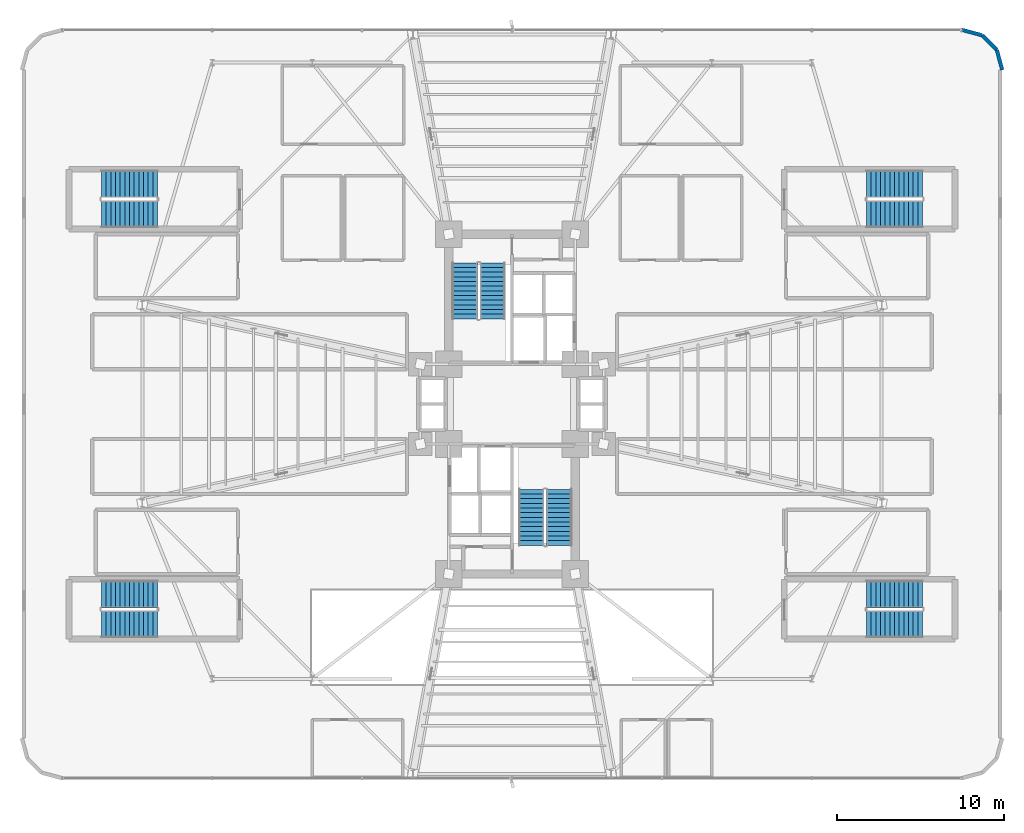
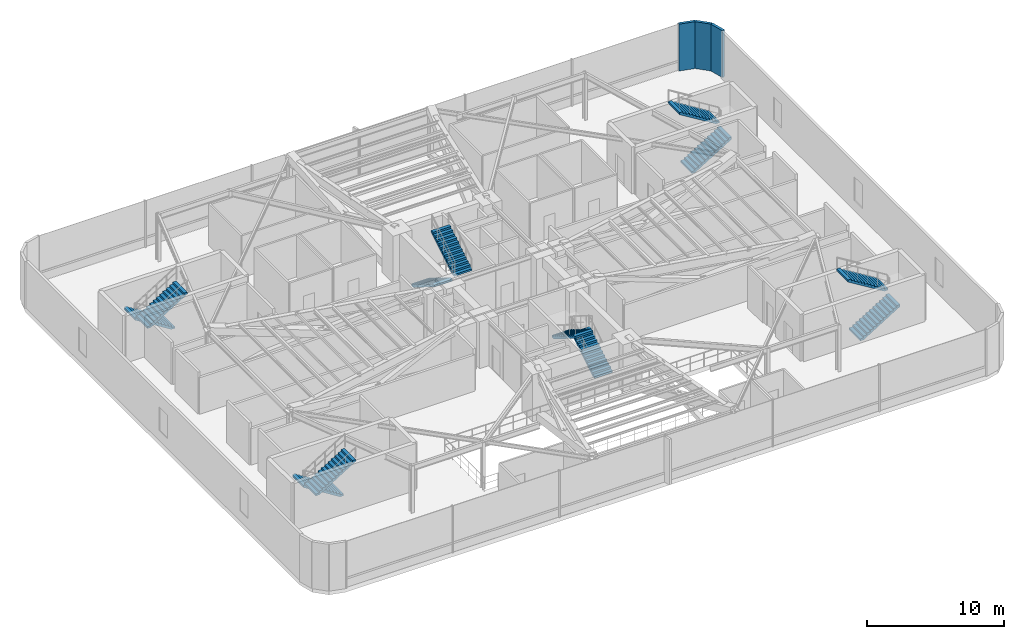
# One storey, part 27 of 32: 12 stair flights, 3 walls, 6 elements without a shape of their own.
"""IFC4 building model written with IfcOpenShell, lengths in metres."""

from ifc_helpers import new_model, si_unit, direction, frame, frame_2d, origin, place, context, subcontext, project, spatial, polyline, rectangle, outline, extrude, material, layer, layer_set, type_object, element, aggregate, save


model = new_model("IFC4")

# Units and contexts
model_context = context("Model", 3, precision=1e-05, world=origin(), true_north=direction((0.0, 1.0)))
body_context = subcontext(model_context, "Body", "Model", "MODEL_VIEW")
ifc_project = project(units=[si_unit("LENGTHUNIT", "METRE"), si_unit("AREAUNIT", "SQUARE_METRE"), si_unit("VOLUMEUNIT", "CUBIC_METRE"), si_unit("PLANEANGLEUNIT", "RADIAN"), si_unit("MASSUNIT", "GRAM", prefix="KILO")], contexts=[model_context])

# Site, building, storey
site_placement = place(None, origin())
site = spatial("IfcSite", under=ifc_project, at=site_placement, CompositionType="ELEMENT")
building_placement = place(site_placement, origin())
building = spatial("IfcBuilding", under=site, at=building_placement, Name="Sahyath Konkavel Grand Hotel", CompositionType="ELEMENT")
storey_placement = place(building_placement, frame((0.0, 0.0, 14.10009765625)))
storey = spatial("IfcBuildingStorey", under=building, at=storey_placement, Name="L03", CompositionType="ELEMENT", Elevation=14.10009765625)

# Walls
ifc_material_1 = material(Name="Warm Buff Sandstone Insulated Concrete C40/50", Category="masonry")
ifc_layer = layer(ifc_material_1, 0.219970703125)
ifc_layer_set = layer_set([ifc_layer], Name="Warm Buff Sandstone Insulated Concrete C40/50")
wall_type = type_object("IfcWallType", Name="WLL-BALC-THRESH", PredefinedType="STANDARD", material=ifc_layer_set)
wall_placement = place(storey_placement, frame((29.43603515625, 20.06494140625, 0.0), z_axis=(0.0, 0.0, 1.0), x_axis=(-0.258824494443, 0.965924366126, 0.0)))
element("IfcWall", 1, at=wall_placement, inside=storey, type_object=wall_type, Name="L03 Rounded Podium Corner Sandstone Pier 4", PredefinedType="STANDARD", context=body_context, shape_type="SweptSolid", body=[
    extrude(rectangle(XDim=1.2421875, YDim=0.219970703125, at=frame_2d((0.62109375, 0.0))), origin(), (0.0, 0.0, 1.0), 4.179931640625),
])
for number, where, z_axis, x_axis, name in (
    (2, (29.114501953125, 21.264892578125, 0.0), (0.0, 0.0, 1.0), (-0.707008524149, 0.707205024573, 0.0), "L03 Rounded Podium Corner Sandstone Pier 5"),
    (3, (28.236083984375, 22.1435546875, 0.0), (0.0, 0.0, 1.0), (-0.965937527666, 0.25877537102, 0.0), "L03 Rounded Podium Corner Sandstone Pier 6"),
):
    element("IfcWall", number, at=place(storey_placement, frame(where, z_axis=z_axis, x_axis=x_axis)), inside=storey, type_object=wall_type, Name=name, PredefinedType="STANDARD", context=body_context, shape_type="SweptSolid", body=[
        extrude(rectangle(XDim=1.242431640625, YDim=0.219970703125, at=frame_2d((0.62109375, 0.0))), origin(), (0.0, 0.0, 1.0), 4.179931640625),
    ])

# Stair, stair flights
ifc_material_2 = material(Name="Concrete C40/50", Category="concrete")
stair_type = type_object("IfcStairType", Name="STR-ST16-450", PredefinedType="HALF_TURN_STAIR", material=ifc_material_2)
stair_1_placement = place(storey_placement, origin())
stair_1 = element("IfcStair", 4, at=stair_1_placement, inside=storey, type_object=stair_type, Name="L03 North Core Smokeproof Exit Stair ST-1", PredefinedType="HALF_TURN_STAIR")
stair_flight_type = type_object("IfcStairFlightType", Name="STF-ST16-450", PredefinedType="STRAIGHT", material=ifc_material_2)
stair_flight_1_placement = place(storey_placement, frame((-2.840087890625, 8.47998046875, 0.0), z_axis=(0.0, 0.0, 1.0), x_axis=(0.0, -1.0, 0.0)))
stair_flight_1 = element("IfcStairFlight", 5, at=stair_flight_1_placement, type_object=stair_flight_type, Name="ST-1 flight 1", NumberOfRisers=13, NumberOfTreads=12, PredefinedType="STRAIGHT", RiserHeight=0.173076923, TreadLength=0.28, context=body_context, shape_type="SweptSolid", body=[
    extrude(outline(polyline([(0.0, 0.0), (0.0, 0.173095703125), (0.280029296875, 0.173095703125), (0.280029296875, 0.34619140625), (0.56005859375, 0.34619140625), (0.56005859375, 0.519287109375), (0.840087890625, 0.519287109375), (0.840087890625, 0.6923828125), (1.1201171875, 0.6923828125), (1.1201171875, 0.865478515625), (1.39990234375, 0.865478515625), (1.39990234375, 1.03857421875), (1.679931640625, 1.03857421875), (1.679931640625, 1.21142578125), (1.9599609375, 1.21142578125), (1.9599609375, 1.384521484375), (2.239990234375, 1.384521484375), (2.239990234375, 1.5576171875), (2.52001953125, 1.5576171875), (2.52001953125, 1.730712890625), (2.800048828125, 1.730712890625), (2.800048828125, 1.90380859375), (3.080078125, 1.90380859375), (3.080078125, 2.076904296875), (3.360107421875, 2.076904296875), (3.360107421875, 2.25), (3.360107421875, 1.900634765625), (0.28515625, 0.0), (0.0, 0.0)])), frame((0.0, 0.760009765625, 0.0), z_axis=(0.0, -1.0, 0.0), x_axis=(1.0, 0.0, 0.0)), (0.0, 0.0, 1.0), 1.52001953125),
])
stair_flight_2_placement = place(storey_placement, frame((-1.159912109375, 5.1201171875, 2.25), z_axis=(0.0, 0.0, 1.0), x_axis=(0.0, 1.0, 0.0)))
stair_flight_2 = element("IfcStairFlight", 6, at=stair_flight_2_placement, type_object=stair_flight_type, Name="ST-1 flight 2", NumberOfRisers=13, NumberOfTreads=12, PredefinedType="STRAIGHT", RiserHeight=0.173076923, TreadLength=0.28, context=body_context, shape_type="SweptSolid", body=[
    extrude(outline(polyline([(0.0, 0.0), (0.0, 0.173095703125), (0.280029296875, 0.173095703125), (0.280029296875, 0.34619140625), (0.56005859375, 0.34619140625), (0.56005859375, 0.519287109375), (0.840087890625, 0.519287109375), (0.840087890625, 0.6923828125), (1.1201171875, 0.6923828125), (1.1201171875, 0.865478515625), (1.39990234375, 0.865478515625), (1.39990234375, 1.03857421875), (1.679931640625, 1.03857421875), (1.679931640625, 1.21142578125), (1.9599609375, 1.21142578125), (1.9599609375, 1.384521484375), (2.239990234375, 1.384521484375), (2.239990234375, 1.5576171875), (2.52001953125, 1.5576171875), (2.52001953125, 1.730712890625), (2.800048828125, 1.730712890625), (2.800048828125, 1.90380859375), (3.080078125, 1.90380859375), (3.080078125, 2.076904296875), (3.360107421875, 2.076904296875), (3.360107421875, 2.25), (3.360107421875, 1.900634765625), (0.28515625, 0.0), (0.0, 0.0)])), frame((0.0, 0.760009765625, 0.0), z_axis=(0.0, -1.0, 0.0), x_axis=(1.0, 0.0, 0.0)), (0.0, 0.0, 1.0), 1.52001953125),
])
aggregate(stair_1, [stair_flight_1, stair_flight_2])

stair_2_placement = place(storey_placement, origin())
stair_2 = element("IfcStair", 7, at=stair_2_placement, inside=storey, type_object=stair_type, Name="L03 South Core Smokeproof Exit Stair ST-2", PredefinedType="HALF_TURN_STAIR")
stair_flight_3_placement = place(storey_placement, frame((2.840087890625, -8.47998046875, 0.0), z_axis=(0.0, 0.0, 1.0), x_axis=(0.0, 1.0, 0.0)))
stair_flight_3 = element("IfcStairFlight", 8, at=stair_flight_3_placement, type_object=stair_flight_type, Name="ST-2 flight 1", NumberOfRisers=13, NumberOfTreads=12, PredefinedType="STRAIGHT", RiserHeight=0.173076923, TreadLength=0.28, context=body_context, shape_type="SweptSolid", body=[
    extrude(outline(polyline([(0.0, 0.0), (0.0, 0.173095703125), (0.280029296875, 0.173095703125), (0.280029296875, 0.34619140625), (0.56005859375, 0.34619140625), (0.56005859375, 0.519287109375), (0.840087890625, 0.519287109375), (0.840087890625, 0.6923828125), (1.1201171875, 0.6923828125), (1.1201171875, 0.865478515625), (1.39990234375, 0.865478515625), (1.39990234375, 1.03857421875), (1.679931640625, 1.03857421875), (1.679931640625, 1.21142578125), (1.9599609375, 1.21142578125), (1.9599609375, 1.384521484375), (2.239990234375, 1.384521484375), (2.239990234375, 1.5576171875), (2.52001953125, 1.5576171875), (2.52001953125, 1.730712890625), (2.800048828125, 1.730712890625), (2.800048828125, 1.90380859375), (3.080078125, 1.90380859375), (3.080078125, 2.076904296875), (3.360107421875, 2.076904296875), (3.360107421875, 2.25), (3.360107421875, 1.900634765625), (0.28515625, 0.0), (0.0, 0.0)])), frame((0.0, 0.760009765625, 0.0), z_axis=(0.0, -1.0, 0.0), x_axis=(1.0, 0.0, 0.0)), (0.0, 0.0, 1.0), 1.52001953125),
])
stair_flight_4_placement = place(storey_placement, frame((1.159912109375, -5.1201171875, 2.25), z_axis=(0.0, 0.0, 1.0), x_axis=(0.0, -1.0, 0.0)))
stair_flight_4 = element("IfcStairFlight", 9, at=stair_flight_4_placement, type_object=stair_flight_type, Name="ST-2 flight 2", NumberOfRisers=13, NumberOfTreads=12, PredefinedType="STRAIGHT", RiserHeight=0.173076923, TreadLength=0.28, context=body_context, shape_type="SweptSolid", body=[
    extrude(outline(polyline([(0.0, 0.0), (0.0, 0.173095703125), (0.280029296875, 0.173095703125), (0.280029296875, 0.34619140625), (0.56005859375, 0.34619140625), (0.56005859375, 0.519287109375), (0.840087890625, 0.519287109375), (0.840087890625, 0.6923828125), (1.1201171875, 0.6923828125), (1.1201171875, 0.865478515625), (1.39990234375, 0.865478515625), (1.39990234375, 1.03857421875), (1.679931640625, 1.03857421875), (1.679931640625, 1.21142578125), (1.9599609375, 1.21142578125), (1.9599609375, 1.384521484375), (2.239990234375, 1.384521484375), (2.239990234375, 1.5576171875), (2.52001953125, 1.5576171875), (2.52001953125, 1.730712890625), (2.800048828125, 1.730712890625), (2.800048828125, 1.90380859375), (3.080078125, 1.90380859375), (3.080078125, 2.076904296875), (3.360107421875, 2.076904296875), (3.360107421875, 2.25), (3.360107421875, 1.900634765625), (0.28515625, 0.0), (0.0, 0.0)])), frame((0.0, 0.760009765625, 0.0), z_axis=(0.0, -1.0, 0.0), x_axis=(1.0, 0.0, 0.0)), (0.0, 0.0, 1.0), 1.52001953125),
])
aggregate(stair_2, [stair_flight_3, stair_flight_4])

stair_3_placement = place(storey_placement, origin())
stair_3 = element("IfcStair", 10, at=stair_3_placement, inside=storey, type_object=stair_type, Name="L03 Podium Protected Exit Stair ST-P1", PredefinedType="HALF_TURN_STAIR")
stair_flight_5_placement = place(storey_placement, frame((-21.2900390625, 13.215087890625, 0.0), z_axis=(0.0, 0.0, 1.0), x_axis=(-1.0, 0.0, 0.0)))
stair_flight_5 = element("IfcStairFlight", 11, at=stair_flight_5_placement, type_object=stair_flight_type, Name="ST-P1 flight 1", NumberOfRisers=13, NumberOfTreads=12, PredefinedType="STRAIGHT", RiserHeight=0.173076923, TreadLength=0.28, context=body_context, shape_type="SweptSolid", body=[
    extrude(outline(polyline([(0.0, 0.0), (0.0, 0.173095703125), (0.280029296875, 0.173095703125), (0.280029296875, 0.34619140625), (0.56005859375, 0.34619140625), (0.56005859375, 0.519287109375), (0.840087890625, 0.519287109375), (0.840087890625, 0.6923828125), (1.1201171875, 0.6923828125), (1.1201171875, 0.865478515625), (1.39990234375, 0.865478515625), (1.39990234375, 1.03857421875), (1.679931640625, 1.03857421875), (1.679931640625, 1.21142578125), (1.9599609375, 1.21142578125), (1.9599609375, 1.384521484375), (2.239990234375, 1.384521484375), (2.239990234375, 1.5576171875), (2.52001953125, 1.5576171875), (2.52001953125, 1.730712890625), (2.800048828125, 1.730712890625), (2.800048828125, 1.90380859375), (3.080078125, 1.90380859375), (3.080078125, 2.076904296875), (3.360107421875, 2.076904296875), (3.360107421875, 2.25), (3.360107421875, 1.900634765625), (0.28515625, 0.0), (0.0, 0.0)])), frame((0.0, 0.824951171875, 0.0), z_axis=(0.0, -1.0, 0.0), x_axis=(1.0, 0.0, 0.0)), (0.0, 0.0, 1.0), 1.64990234375),
])
stair_flight_6_placement = place(storey_placement, frame((-24.64990234375, 11.405029296875, 2.25), z_axis=(0.0, 0.0, 1.0), x_axis=(1.0, 0.0, 0.0)))
stair_flight_6 = element("IfcStairFlight", 12, at=stair_flight_6_placement, type_object=stair_flight_type, Name="ST-P1 flight 2", NumberOfRisers=13, NumberOfTreads=12, PredefinedType="STRAIGHT", RiserHeight=0.173076923, TreadLength=0.28, context=body_context, shape_type="SweptSolid", body=[
    extrude(outline(polyline([(0.0, 0.0), (0.0, 0.173095703125), (0.280029296875, 0.173095703125), (0.280029296875, 0.34619140625), (0.56005859375, 0.34619140625), (0.56005859375, 0.519287109375), (0.840087890625, 0.519287109375), (0.840087890625, 0.6923828125), (1.1201171875, 0.6923828125), (1.1201171875, 0.865478515625), (1.39990234375, 0.865478515625), (1.39990234375, 1.03857421875), (1.679931640625, 1.03857421875), (1.679931640625, 1.21142578125), (1.9599609375, 1.21142578125), (1.9599609375, 1.384521484375), (2.239990234375, 1.384521484375), (2.239990234375, 1.5576171875), (2.52001953125, 1.5576171875), (2.52001953125, 1.730712890625), (2.800048828125, 1.730712890625), (2.800048828125, 1.90380859375), (3.080078125, 1.90380859375), (3.080078125, 2.076904296875), (3.360107421875, 2.076904296875), (3.360107421875, 2.25), (3.360107421875, 1.900634765625), (0.28515625, 0.0), (0.0, 0.0)])), frame((0.0, 0.824951171875, 0.0), z_axis=(0.0, -1.0, 0.0), x_axis=(1.0, 0.0, 0.0)), (0.0, 0.0, 1.0), 1.64990234375),
])
aggregate(stair_3, [stair_flight_5, stair_flight_6])

stair_4_placement = place(storey_placement, origin())
stair_4 = element("IfcStair", 13, at=stair_4_placement, inside=storey, type_object=stair_type, Name="L03 Podium Protected Exit Stair ST-P2", PredefinedType="HALF_TURN_STAIR")
stair_flight_7_placement = place(storey_placement, frame((21.2900390625, 11.405029296875, 0.0), z_axis=(0.0, 0.0, 1.0), x_axis=(1.0, 0.0, 0.0)))
stair_flight_7 = element("IfcStairFlight", 14, at=stair_flight_7_placement, type_object=stair_flight_type, Name="ST-P2 flight 1", NumberOfRisers=13, NumberOfTreads=12, PredefinedType="STRAIGHT", RiserHeight=0.173076923, TreadLength=0.28, context=body_context, shape_type="SweptSolid", body=[
    extrude(outline(polyline([(0.0, 0.0), (0.0, 0.173095703125), (0.280029296875, 0.173095703125), (0.280029296875, 0.34619140625), (0.56005859375, 0.34619140625), (0.56005859375, 0.519287109375), (0.840087890625, 0.519287109375), (0.840087890625, 0.6923828125), (1.1201171875, 0.6923828125), (1.1201171875, 0.865478515625), (1.39990234375, 0.865478515625), (1.39990234375, 1.03857421875), (1.679931640625, 1.03857421875), (1.679931640625, 1.21142578125), (1.9599609375, 1.21142578125), (1.9599609375, 1.384521484375), (2.239990234375, 1.384521484375), (2.239990234375, 1.5576171875), (2.52001953125, 1.5576171875), (2.52001953125, 1.730712890625), (2.800048828125, 1.730712890625), (2.800048828125, 1.90380859375), (3.080078125, 1.90380859375), (3.080078125, 2.076904296875), (3.360107421875, 2.076904296875), (3.360107421875, 2.25), (3.360107421875, 1.900634765625), (0.28515625, 0.0), (0.0, 0.0)])), frame((0.0, 0.824951171875, 0.0), z_axis=(0.0, -1.0, 0.0), x_axis=(1.0, 0.0, 0.0)), (0.0, 0.0, 1.0), 1.64990234375),
])
stair_flight_8_placement = place(storey_placement, frame((24.64990234375, 13.215087890625, 2.25), z_axis=(0.0, 0.0, 1.0), x_axis=(-1.0, 0.0, 0.0)))
stair_flight_8 = element("IfcStairFlight", 15, at=stair_flight_8_placement, type_object=stair_flight_type, Name="ST-P2 flight 2", NumberOfRisers=13, NumberOfTreads=12, PredefinedType="STRAIGHT", RiserHeight=0.173076923, TreadLength=0.28, context=body_context, shape_type="SweptSolid", body=[
    extrude(outline(polyline([(0.0, 0.0), (0.0, 0.173095703125), (0.280029296875, 0.173095703125), (0.280029296875, 0.34619140625), (0.56005859375, 0.34619140625), (0.56005859375, 0.519287109375), (0.840087890625, 0.519287109375), (0.840087890625, 0.6923828125), (1.1201171875, 0.6923828125), (1.1201171875, 0.865478515625), (1.39990234375, 0.865478515625), (1.39990234375, 1.03857421875), (1.679931640625, 1.03857421875), (1.679931640625, 1.21142578125), (1.9599609375, 1.21142578125), (1.9599609375, 1.384521484375), (2.239990234375, 1.384521484375), (2.239990234375, 1.5576171875), (2.52001953125, 1.5576171875), (2.52001953125, 1.730712890625), (2.800048828125, 1.730712890625), (2.800048828125, 1.90380859375), (3.080078125, 1.90380859375), (3.080078125, 2.076904296875), (3.360107421875, 2.076904296875), (3.360107421875, 2.25), (3.360107421875, 1.900634765625), (0.28515625, 0.0), (0.0, 0.0)])), frame((0.0, 0.824951171875, 0.0), z_axis=(0.0, -1.0, 0.0), x_axis=(1.0, 0.0, 0.0)), (0.0, 0.0, 1.0), 1.64990234375),
])
aggregate(stair_4, [stair_flight_7, stair_flight_8])

stair_5_placement = place(storey_placement, origin())
stair_5 = element("IfcStair", 16, at=stair_5_placement, inside=storey, type_object=stair_type, Name="L03 Podium Protected Exit Stair ST-P3", PredefinedType="HALF_TURN_STAIR")
stair_flight_9_placement = place(storey_placement, frame((-21.2900390625, -11.405029296875, 0.0), z_axis=(0.0, 0.0, 1.0), x_axis=(-1.0, 0.0, 0.0)))
stair_flight_9 = element("IfcStairFlight", 17, at=stair_flight_9_placement, type_object=stair_flight_type, Name="ST-P3 flight 1", NumberOfRisers=13, NumberOfTreads=12, PredefinedType="STRAIGHT", RiserHeight=0.173076923, TreadLength=0.28, context=body_context, shape_type="SweptSolid", body=[
    extrude(outline(polyline([(0.0, 0.0), (0.0, 0.173095703125), (0.280029296875, 0.173095703125), (0.280029296875, 0.34619140625), (0.56005859375, 0.34619140625), (0.56005859375, 0.519287109375), (0.840087890625, 0.519287109375), (0.840087890625, 0.6923828125), (1.1201171875, 0.6923828125), (1.1201171875, 0.865478515625), (1.39990234375, 0.865478515625), (1.39990234375, 1.03857421875), (1.679931640625, 1.03857421875), (1.679931640625, 1.21142578125), (1.9599609375, 1.21142578125), (1.9599609375, 1.384521484375), (2.239990234375, 1.384521484375), (2.239990234375, 1.5576171875), (2.52001953125, 1.5576171875), (2.52001953125, 1.730712890625), (2.800048828125, 1.730712890625), (2.800048828125, 1.90380859375), (3.080078125, 1.90380859375), (3.080078125, 2.076904296875), (3.360107421875, 2.076904296875), (3.360107421875, 2.25), (3.360107421875, 1.900634765625), (0.28515625, 0.0), (0.0, 0.0)])), frame((0.0, 0.824951171875, 0.0), z_axis=(0.0, -1.0, 0.0), x_axis=(1.0, 0.0, 0.0)), (0.0, 0.0, 1.0), 1.64990234375),
])
stair_flight_10_placement = place(storey_placement, frame((-24.64990234375, -13.215087890625, 2.25), z_axis=(0.0, 0.0, 1.0), x_axis=(1.0, 0.0, 0.0)))
stair_flight_10 = element("IfcStairFlight", 18, at=stair_flight_10_placement, type_object=stair_flight_type, Name="ST-P3 flight 2", NumberOfRisers=13, NumberOfTreads=12, PredefinedType="STRAIGHT", RiserHeight=0.173076923, TreadLength=0.28, context=body_context, shape_type="SweptSolid", body=[
    extrude(outline(polyline([(0.0, 0.0), (0.0, 0.173095703125), (0.280029296875, 0.173095703125), (0.280029296875, 0.34619140625), (0.56005859375, 0.34619140625), (0.56005859375, 0.519287109375), (0.840087890625, 0.519287109375), (0.840087890625, 0.6923828125), (1.1201171875, 0.6923828125), (1.1201171875, 0.865478515625), (1.39990234375, 0.865478515625), (1.39990234375, 1.03857421875), (1.679931640625, 1.03857421875), (1.679931640625, 1.21142578125), (1.9599609375, 1.21142578125), (1.9599609375, 1.384521484375), (2.239990234375, 1.384521484375), (2.239990234375, 1.5576171875), (2.52001953125, 1.5576171875), (2.52001953125, 1.730712890625), (2.800048828125, 1.730712890625), (2.800048828125, 1.90380859375), (3.080078125, 1.90380859375), (3.080078125, 2.076904296875), (3.360107421875, 2.076904296875), (3.360107421875, 2.25), (3.360107421875, 1.900634765625), (0.28515625, 0.0), (0.0, 0.0)])), frame((0.0, 0.824951171875, 0.0), z_axis=(0.0, -1.0, 0.0), x_axis=(1.0, 0.0, 0.0)), (0.0, 0.0, 1.0), 1.64990234375),
])
aggregate(stair_5, [stair_flight_9, stair_flight_10])

stair_6_placement = place(storey_placement, origin())
stair_6 = element("IfcStair", 19, at=stair_6_placement, inside=storey, type_object=stair_type, Name="L03 Podium Protected Exit Stair ST-P4", PredefinedType="HALF_TURN_STAIR")
stair_flight_11_placement = place(storey_placement, frame((21.2900390625, -13.215087890625, 0.0), z_axis=(0.0, 0.0, 1.0), x_axis=(1.0, 0.0, 0.0)))
stair_flight_11 = element("IfcStairFlight", 20, at=stair_flight_11_placement, type_object=stair_flight_type, Name="ST-P4 flight 1", NumberOfRisers=13, NumberOfTreads=12, PredefinedType="STRAIGHT", RiserHeight=0.173076923, TreadLength=0.28, context=body_context, shape_type="SweptSolid", body=[
    extrude(outline(polyline([(0.0, 0.0), (0.0, 0.173095703125), (0.280029296875, 0.173095703125), (0.280029296875, 0.34619140625), (0.56005859375, 0.34619140625), (0.56005859375, 0.519287109375), (0.840087890625, 0.519287109375), (0.840087890625, 0.6923828125), (1.1201171875, 0.6923828125), (1.1201171875, 0.865478515625), (1.39990234375, 0.865478515625), (1.39990234375, 1.03857421875), (1.679931640625, 1.03857421875), (1.679931640625, 1.21142578125), (1.9599609375, 1.21142578125), (1.9599609375, 1.384521484375), (2.239990234375, 1.384521484375), (2.239990234375, 1.5576171875), (2.52001953125, 1.5576171875), (2.52001953125, 1.730712890625), (2.800048828125, 1.730712890625), (2.800048828125, 1.90380859375), (3.080078125, 1.90380859375), (3.080078125, 2.076904296875), (3.360107421875, 2.076904296875), (3.360107421875, 2.25), (3.360107421875, 1.900634765625), (0.28515625, 0.0), (0.0, 0.0)])), frame((0.0, 0.824951171875, 0.0), z_axis=(0.0, -1.0, 0.0), x_axis=(1.0, 0.0, 0.0)), (0.0, 0.0, 1.0), 1.64990234375),
])
stair_flight_12_placement = place(storey_placement, frame((24.64990234375, -11.405029296875, 2.25), z_axis=(0.0, 0.0, 1.0), x_axis=(-1.0, 0.0, 0.0)))
stair_flight_12 = element("IfcStairFlight", 21, at=stair_flight_12_placement, type_object=stair_flight_type, Name="ST-P4 flight 2", NumberOfRisers=13, NumberOfTreads=12, PredefinedType="STRAIGHT", RiserHeight=0.173076923, TreadLength=0.28, context=body_context, shape_type="SweptSolid", body=[
    extrude(outline(polyline([(0.0, 0.0), (0.0, 0.173095703125), (0.280029296875, 0.173095703125), (0.280029296875, 0.34619140625), (0.56005859375, 0.34619140625), (0.56005859375, 0.519287109375), (0.840087890625, 0.519287109375), (0.840087890625, 0.6923828125), (1.1201171875, 0.6923828125), (1.1201171875, 0.865478515625), (1.39990234375, 0.865478515625), (1.39990234375, 1.03857421875), (1.679931640625, 1.03857421875), (1.679931640625, 1.21142578125), (1.9599609375, 1.21142578125), (1.9599609375, 1.384521484375), (2.239990234375, 1.384521484375), (2.239990234375, 1.5576171875), (2.52001953125, 1.5576171875), (2.52001953125, 1.730712890625), (2.800048828125, 1.730712890625), (2.800048828125, 1.90380859375), (3.080078125, 1.90380859375), (3.080078125, 2.076904296875), (3.360107421875, 2.076904296875), (3.360107421875, 2.25), (3.360107421875, 1.900634765625), (0.28515625, 0.0), (0.0, 0.0)])), frame((0.0, 0.824951171875, 0.0), z_axis=(0.0, -1.0, 0.0), x_axis=(1.0, 0.0, 0.0)), (0.0, 0.0, 1.0), 1.64990234375),
])
aggregate(stair_6, [stair_flight_11, stair_flight_12])

save(model, "model.ifc")
